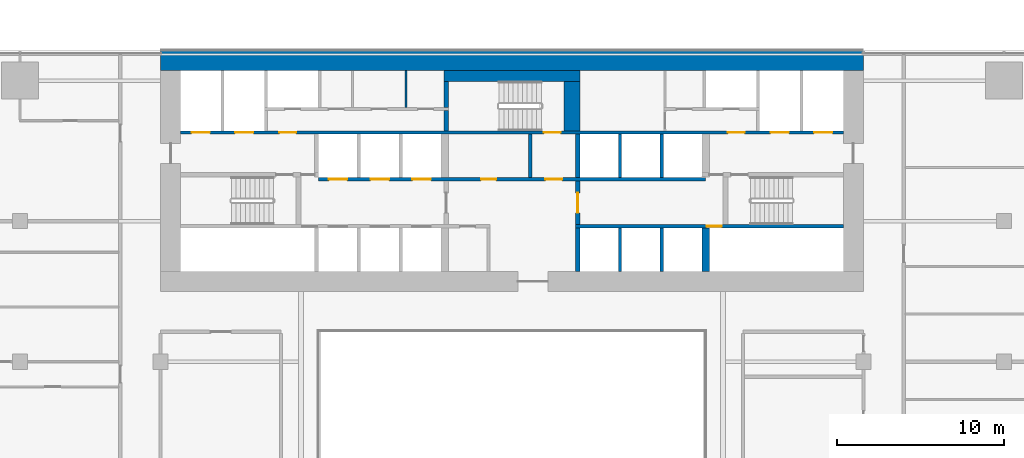
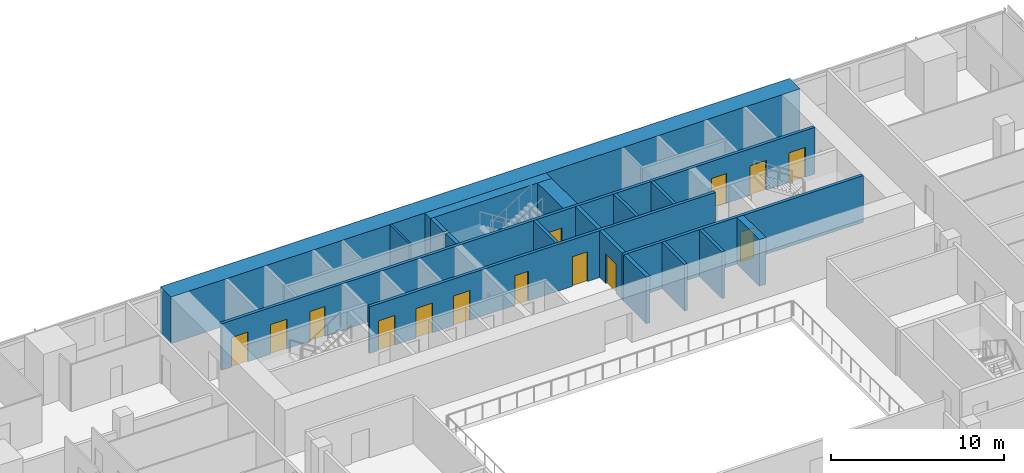
# One storey, part 20 of 25: 18 walls, 14 doors, 14 openings.
"""IFC4 building model written with IfcOpenShell, lengths in metres."""

from ifc_helpers import new_model, si_unit, direction, frame, frame_2d, origin, place, context, subcontext, project, spatial, rectangle, extrude, material, layer, layer_set, type_object, element, fill, save


model = new_model("IFC4")

# Units and contexts
model_context = context("Model", 3, precision=1e-05, world=origin(), true_north=direction((0.0, 1.0)))
body_context = subcontext(model_context, "Body", "Model", "MODEL_VIEW")
ifc_project = project(units=[si_unit("LENGTHUNIT", "METRE"), si_unit("AREAUNIT", "SQUARE_METRE"), si_unit("VOLUMEUNIT", "CUBIC_METRE"), si_unit("PLANEANGLEUNIT", "RADIAN"), si_unit("MASSUNIT", "GRAM", prefix="KILO")], contexts=[model_context])

# Site, building, storey
site_placement = place(None, origin())
site = spatial("IfcSite", under=ifc_project, at=site_placement, CompositionType="ELEMENT")
building_placement = place(site_placement, origin())
building = spatial("IfcBuilding", under=site, at=building_placement, Name="Saffron Gate Tower", CompositionType="ELEMENT")
storey_placement = place(building_placement, frame((0.0, 0.0, 80.39990234375)))
storey = spatial("IfcBuildingStorey", under=building, at=storey_placement, Name="L19", CompositionType="ELEMENT", Elevation=80.39990234375)

# Walls
ifc_material_1 = material(Name="Concrete C70", Category="concrete")
ifc_layer_1 = layer(ifc_material_1, 1.199951171875)
ifc_layer_set_1 = layer_set([ifc_layer_1], Name="CW1 RC core wall 1200 C70")
wall_type_1 = type_object("IfcWallType", Name="CW1 RC core wall 1200 C70", PredefinedType="SOLIDWALL", material=ifc_layer_set_1)
wall_1_placement = place(storey_placement, frame((66.60009765625, 75.0, 0.0), z_axis=(0.0, 0.0, 1.0), x_axis=(1.0, 0.0, 0.0)))
element("IfcWall", 1, at=wall_1_placement, inside=storey, type_object=wall_type_1, Name="Wall CW1-L19-2", PredefinedType="SOLIDWALL", context=body_context, shape_type="SweptSolid", body=[
    extrude(rectangle(XDim=42.0, YDim=1.199951171875, at=frame_2d((21.0, 0.0))), origin(), (0.0, 0.0, 1.0), 3.300048828125),
])
ifc_material_2 = material(Name="Gypsum board partition on steel studs", Category="steel")
ifc_layer_2 = layer(ifc_material_2, 0.199951171875)
ifc_layer_set_2 = layer_set([ifc_layer_2], Name="CW10 Core partition 200")
wall_type_2 = type_object("IfcWallType", Name="CW10 Core partition 200", PredefinedType="PARTITIONING", material=ifc_layer_set_2)
wall_2_placement = place(storey_placement, frame((88.699951171875, 68.0, 0.0), z_axis=(0.0, 0.0, 1.0), x_axis=(0.0, 1.0, 0.0)))
element("IfcWall", 2, at=wall_2_placement, inside=storey, type_object=wall_type_2, Name="Wall CW10-L19-24", PredefinedType="PARTITIONING", context=body_context, shape_type="SweptSolid", body=[
    extrude(rectangle(XDim=2.60009765625, YDim=0.199951171875, at=frame_2d((1.300048828125, 0.0))), origin(), (0.0, 0.0, 1.0), 3.300048828125),
])
ifc_layer_3 = layer(ifc_material_1, 0.25)
ifc_layer_set_3 = layer_set([ifc_layer_3], Name="CW2 RC core wall 250 C70")
wall_type_3 = type_object("IfcWallType", Name="CW2 RC core wall 250 C70", PredefinedType="SOLIDWALL", material=ifc_layer_set_3)
wall_3_placement = place(storey_placement, frame((91.52490234375, 62.39990234375, 0.0), z_axis=(0.0, 0.0, 1.0), x_axis=(0.0, 1.0, 0.0)))
element("IfcWall", 3, at=wall_3_placement, inside=storey, type_object=wall_type_3, Name="Wall CW2-L19-10", PredefinedType="SOLIDWALL", context=body_context, shape_type="SweptSolid", body=[
    extrude(rectangle(XDim=2.60009765625, YDim=0.25, at=frame_2d((1.300048828125, 0.0))), origin(), (0.0, 0.0, 1.0), 3.300048828125),
])

# Wall, opening, door
wall_4_placement = place(storey_placement, frame((91.52490234375, 65.199951171875, 0.0), z_axis=(0.0, 0.0, 1.0), x_axis=(0.0, 1.0, 0.0)))
wall_4 = element("IfcWall", 4, at=wall_4_placement, inside=storey, type_object=wall_type_3, Name="Wall CW2-L19-18", PredefinedType="SOLIDWALL", context=body_context, shape_type="SweptSolid", body=[
    extrude(rectangle(XDim=2.60009765625, YDim=0.25, at=frame_2d((1.300048828125, 0.0))), origin(), (0.0, 0.0, 1.0), 3.300048828125),
])
opening_1_placement = place(wall_4_placement, frame((0.699951171875, 0.0, 0.0)))
opening_1 = element("IfcOpeningElement", 5, at=opening_1_placement, cuts=wall_4, Name="Opening CR-01", PredefinedType="OPENING", context=body_context, shape_type="SweptSolid", body=[
    extrude(rectangle(XDim=1.199951171875, YDim=2.10009765625, at=frame_2d((0.60009765625, 1.050048828125))), frame((0.0, 0.135009765625, 0.0), z_axis=(0.0, -1.0, 0.0), x_axis=(1.0, 0.0, 0.0)), (0.0, 0.0, 1.0), 0.27001953125),
])
ifc_material_3 = material(Name="Steel fire door set", Category="steel")
door_type_1 = type_object("IfcDoorType", Name="CD3 Lobby door 1200x2100 EI 120", OperationType="NOTDEFINED", PredefinedType="DOOR", material=ifc_material_3)
door_1_placement = place(opening_1_placement, origin())
door_1 = element("IfcDoor", 6, at=door_1_placement, inside=storey, type_object=door_type_1, Name="DOOR CR-01", OperationType="SINGLE_SWING_RIGHT", OverallHeight=2.10009765625, OverallWidth=1.199951171875, PredefinedType="DOOR", context=body_context, shape_type="SweptSolid", body=[
    extrude(rectangle(XDim=1.199951171875, YDim=2.10009765625, at=frame_2d((0.60009765625, 1.050048828125))), frame((0.0, 0.02490234375, 0.0), z_axis=(0.0, -1.0, 0.0), x_axis=(1.0, 0.0, 0.0)), (0.0, 0.0, 1.0), 0.050048828125),
])
fill(opening_1, door_1)

# Walls
wall_5_placement = place(storey_placement, frame((91.52490234375, 68.0, 0.0), z_axis=(0.0, 0.0, 1.0), x_axis=(0.0, 1.0, 0.0)))
element("IfcWall", 7, at=wall_5_placement, inside=storey, type_object=wall_type_3, Name="Wall CW2-L19-25", PredefinedType="SOLIDWALL", context=body_context, shape_type="SweptSolid", body=[
    extrude(rectangle(XDim=2.60009765625, YDim=0.25, at=frame_2d((1.300048828125, 0.0))), origin(), (0.0, 0.0, 1.0), 3.300048828125),
])
wall_6_placement = place(storey_placement, frame((83.675048828125, 70.800048828125, 0.0), z_axis=(0.0, 0.0, 1.0), x_axis=(0.0, 1.0, 0.0)))
element("IfcWall", 8, at=wall_6_placement, inside=storey, type_object=wall_type_3, Name="Wall CW2-L19-36", PredefinedType="SOLIDWALL", context=body_context, shape_type="SweptSolid", body=[
    extrude(rectangle(XDim=1.199951171875, YDim=0.25, at=frame_2d((0.60009765625, 0.0))), origin(), (0.0, 0.0, 1.0), 3.300048828125),
])
wall_7_placement = place(storey_placement, frame((83.675048828125, 72.199951171875, 0.0), z_axis=(0.0, 0.0, 1.0), x_axis=(0.0, 1.0, 0.0)))
element("IfcWall", 9, at=wall_7_placement, inside=storey, type_object=wall_type_3, Name="Wall CW2-L19-47", PredefinedType="SOLIDWALL", context=body_context, shape_type="SweptSolid", body=[
    extrude(rectangle(XDim=1.550048828125, YDim=0.25, at=frame_2d((0.77490234375, 0.0))), origin(), (0.0, 0.0, 1.0), 3.300048828125),
])
ifc_layer_4 = layer(ifc_material_1, 0.199951171875)
ifc_layer_set_4 = layer_set([ifc_layer_4], Name="CW3 RC core wall 200 C70")
wall_type_4 = type_object("IfcWallType", Name="CW3 RC core wall 200 C70", PredefinedType="SOLIDWALL", material=ifc_layer_set_4)
for number, where, z_axis, x_axis, name in (
    (10, (94.050048828125, 62.39990234375, 0.0), (0.0, 0.0, 1.0), (0.0, 1.0, 0.0), "Wall CW3-L19-11"),
    (11, (96.550048828125, 62.39990234375, 0.0), (0.0, 0.0, 1.0), (0.0, 1.0, 0.0), "Wall CW3-L19-12"),
):
    element("IfcWall", number, at=place(storey_placement, frame(where, z_axis=z_axis, x_axis=x_axis)), inside=storey, type_object=wall_type_4, Name=name, PredefinedType="SOLIDWALL", context=body_context, shape_type="SweptSolid", body=[
        extrude(rectangle(XDim=2.60009765625, YDim=0.199951171875, at=frame_2d((1.300048828125, 0.0))), origin(), (0.0, 0.0, 1.0), 3.300048828125),
    ])

# Wall, opening, door
wall_8_placement = place(storey_placement, frame((91.39990234375, 65.10009765625, 0.0), z_axis=(0.0, 0.0, 1.0), x_axis=(1.0, 0.0, 0.0)))
wall_8 = element("IfcWall", 12, at=wall_8_placement, inside=storey, type_object=wall_type_4, Name="Wall CW3-L19-15", PredefinedType="SOLIDWALL", context=body_context, shape_type="SweptSolid", body=[
    extrude(rectangle(XDim=16.0, YDim=0.199951171875, at=frame_2d((8.0, 0.0))), origin(), (0.0, 0.0, 1.0), 3.300048828125),
])
opening_2_placement = place(wall_8_placement, frame((7.830078125, 0.0, 0.0)))
opening_2 = element("IfcOpeningElement", 13, at=opening_2_placement, cuts=wall_8, Name="Opening CR-48", PredefinedType="OPENING", context=body_context, shape_type="SweptSolid", body=[
    extrude(rectangle(XDim=0.89990234375, YDim=2.10009765625, at=frame_2d((0.449951171875, 1.050048828125))), frame((0.0, 0.10986328125, 0.0), z_axis=(0.0, -1.0, 0.0), x_axis=(1.0, 0.0, 0.0)), (0.0, 0.0, 1.0), 0.219970703125),
])
door_type_2 = type_object("IfcDoorType", Name="CD2 Riser door 900x2100 EI 60", OperationType="NOTDEFINED", PredefinedType="DOOR", material=ifc_material_3)
door_2_placement = place(opening_2_placement, origin())
door_2 = element("IfcDoor", 14, at=door_2_placement, inside=storey, type_object=door_type_2, Name="DOOR CR-48", OperationType="SINGLE_SWING_RIGHT", OverallHeight=2.10009765625, OverallWidth=0.89990234375, PredefinedType="DOOR", context=body_context, shape_type="SweptSolid", body=[
    extrude(rectangle(XDim=0.89990234375, YDim=2.10009765625, at=frame_2d((0.449951171875, 1.050048828125))), frame((0.0, 0.02490234375, 0.0), z_axis=(0.0, -1.0, 0.0), x_axis=(1.0, 0.0, 0.0)), (0.0, 0.0, 1.0), 0.050048828125),
])
fill(opening_2, door_2)

# Wall, openings, doors
wall_9_placement = place(storey_placement, frame((76.050048828125, 67.89990234375, 0.0), z_axis=(0.0, 0.0, 1.0), x_axis=(1.0, 0.0, 0.0)))
wall_9 = element("IfcWall", 15, at=wall_9_placement, inside=storey, type_object=wall_type_4, Name="Wall CW3-L19-20", PredefinedType="SOLIDWALL", context=body_context, shape_type="SweptSolid", body=[
    extrude(rectangle(XDim=23.099853515625, YDim=0.199951171875, at=frame_2d((11.5498046875, 0.0))), origin(), (0.0, 0.0, 1.0), 3.300048828125),
])
opening_3_placement = place(wall_9_placement, frame((0.60009765625, 0.0, 0.0)))
opening_3 = element("IfcOpeningElement", 16, at=opening_3_placement, cuts=wall_9, Name="Opening LD-LR4", PredefinedType="OPENING", context=body_context, shape_type="SweptSolid", body=[
    extrude(rectangle(XDim=1.10009765625, YDim=2.10009765625, at=frame_2d((0.550048828125, 1.050048828125))), frame((0.0, 0.10986328125, 0.0), z_axis=(0.0, -1.0, 0.0), x_axis=(1.0, 0.0, 0.0)), (0.0, 0.0, 1.0), 0.219970703125),
])
opening_4_placement = place(wall_9_placement, frame((3.10009765625, 0.0, 0.0)))
opening_4 = element("IfcOpeningElement", 17, at=opening_4_placement, cuts=wall_9, Name="Opening LD-LR5", PredefinedType="OPENING", context=body_context, shape_type="SweptSolid", body=[
    extrude(rectangle(XDim=1.10009765625, YDim=2.10009765625, at=frame_2d((0.550048828125, 1.050048828125))), frame((0.0, 0.10986328125, 0.0), z_axis=(0.0, -1.0, 0.0), x_axis=(1.0, 0.0, 0.0)), (0.0, 0.0, 1.0), 0.219970703125),
])
opening_5_placement = place(wall_9_placement, frame((5.60009765625, 0.0, 0.0)))
opening_5 = element("IfcOpeningElement", 18, at=opening_5_placement, cuts=wall_9, Name="Opening LD-LR6", PredefinedType="OPENING", context=body_context, shape_type="SweptSolid", body=[
    extrude(rectangle(XDim=1.10009765625, YDim=2.10009765625, at=frame_2d((0.550048828125, 1.050048828125))), frame((0.0, 0.10986328125, 0.0), z_axis=(0.0, -1.0, 0.0), x_axis=(1.0, 0.0, 0.0)), (0.0, 0.0, 1.0), 0.219970703125),
])
opening_6_placement = place(wall_9_placement, frame((9.699951171875, 0.0, 0.0)))
opening_6 = element("IfcOpeningElement", 19, at=opening_6_placement, cuts=wall_9, Name="Opening CR-67", PredefinedType="OPENING", context=body_context, shape_type="SweptSolid", body=[
    extrude(rectangle(XDim=0.89990234375, YDim=2.10009765625, at=frame_2d((0.449951171875, 1.050048828125))), frame((0.0, 0.10986328125, 0.0), z_axis=(0.0, -1.0, 0.0), x_axis=(1.0, 0.0, 0.0)), (0.0, 0.0, 1.0), 0.219970703125),
])
opening_7_placement = place(wall_9_placement, frame((13.550048828125, 0.0, 0.0)))
opening_7 = element("IfcOpeningElement", 20, at=opening_7_placement, cuts=wall_9, Name="Opening CR-02", PredefinedType="OPENING", context=body_context, shape_type="SweptSolid", body=[
    extrude(rectangle(XDim=1.0, YDim=2.10009765625, at=frame_2d((0.5, 1.050048828125))), frame((0.0, 0.10986328125, 0.0), z_axis=(0.0, -1.0, 0.0), x_axis=(1.0, 0.0, 0.0)), (0.0, 0.0, 1.0), 0.219970703125),
])
door_type_3 = type_object("IfcDoorType", Name="CD4 Lobby door 1000x2100 EI 120", OperationType="NOTDEFINED", PredefinedType="DOOR", material=ifc_material_3)
door_3_placement = place(opening_7_placement, origin())
door_3 = element("IfcDoor", 21, at=door_3_placement, inside=storey, type_object=door_type_3, Name="DOOR CR-02", OperationType="SINGLE_SWING_LEFT", OverallHeight=2.10009765625, OverallWidth=1.0, PredefinedType="DOOR", context=body_context, shape_type="SweptSolid", body=[
    extrude(rectangle(XDim=1.0, YDim=2.10009765625, at=frame_2d((0.5, 1.050048828125))), frame((0.0, 0.02490234375, 0.0), z_axis=(0.0, -1.0, 0.0), x_axis=(1.0, 0.0, 0.0)), (0.0, 0.0, 1.0), 0.050048828125),
])
fill(opening_7, door_3)
door_type_4 = type_object("IfcDoorType", Name="CD9 Room door 900x2100 EI 60", OperationType="NOTDEFINED", PredefinedType="DOOR", material=ifc_material_3)
door_4_placement = place(opening_6_placement, origin())
door_4 = element("IfcDoor", 22, at=door_4_placement, inside=storey, type_object=door_type_4, Name="DOOR CR-67", OperationType="SINGLE_SWING_LEFT", OverallHeight=2.10009765625, OverallWidth=0.89990234375, PredefinedType="DOOR", context=body_context, shape_type="SweptSolid", body=[
    extrude(rectangle(XDim=0.89990234375, YDim=2.10009765625, at=frame_2d((0.449951171875, 1.050048828125))), frame((0.0, 0.02490234375, 0.0), z_axis=(0.0, -1.0, 0.0), x_axis=(1.0, 0.0, 0.0)), (0.0, 0.0, 1.0), 0.050048828125),
])
fill(opening_6, door_4)
ifc_material_4 = material(Name="Stainless steel landing door", Category="steel")
door_type_5 = type_object("IfcDoorType", Name="LD Lift landing door 1100x2100 EI 120", OperationType="SLIDING_TO_LEFT", PredefinedType="DOOR", material=ifc_material_4)
door_5_placement = place(opening_3_placement, origin())
door_5 = element("IfcDoor", 23, at=door_5_placement, inside=storey, type_object=door_type_5, Name="LANDING DOOR LD-LR4", OperationType="SLIDING_TO_RIGHT", OverallHeight=2.10009765625, OverallWidth=1.10009765625, PredefinedType="DOOR", context=body_context, shape_type="SweptSolid", body=[
    extrude(rectangle(XDim=1.10009765625, YDim=2.10009765625, at=frame_2d((0.550048828125, 1.050048828125))), frame((0.0, 0.02490234375, 0.0), z_axis=(0.0, -1.0, 0.0), x_axis=(1.0, 0.0, 0.0)), (0.0, 0.0, 1.0), 0.050048828125),
])
fill(opening_3, door_5)
door_6_placement = place(opening_4_placement, origin())
door_6 = element("IfcDoor", 24, at=door_6_placement, inside=storey, type_object=door_type_5, Name="LANDING DOOR LD-LR5", OperationType="SLIDING_TO_RIGHT", OverallHeight=2.10009765625, OverallWidth=1.10009765625, PredefinedType="DOOR", context=body_context, shape_type="SweptSolid", body=[
    extrude(rectangle(XDim=1.10009765625, YDim=2.10009765625, at=frame_2d((0.550048828125, 1.050048828125))), frame((0.0, 0.02490234375, 0.0), z_axis=(0.0, -1.0, 0.0), x_axis=(1.0, 0.0, 0.0)), (0.0, 0.0, 1.0), 0.050048828125),
])
fill(opening_4, door_6)
door_7_placement = place(opening_5_placement, origin())
door_7 = element("IfcDoor", 25, at=door_7_placement, inside=storey, type_object=door_type_5, Name="LANDING DOOR LD-LR6", OperationType="SLIDING_TO_RIGHT", OverallHeight=2.10009765625, OverallWidth=1.10009765625, PredefinedType="DOOR", context=body_context, shape_type="SweptSolid", body=[
    extrude(rectangle(XDim=1.10009765625, YDim=2.10009765625, at=frame_2d((0.550048828125, 1.050048828125))), frame((0.0, 0.02490234375, 0.0), z_axis=(0.0, -1.0, 0.0), x_axis=(1.0, 0.0, 0.0)), (0.0, 0.0, 1.0), 0.050048828125),
])
fill(opening_5, door_7)

# Walls
for number, where, z_axis, x_axis, name in (
    (26, (94.050048828125, 68.0, 0.0), (0.0, 0.0, 1.0), (0.0, 1.0, 0.0), "Wall CW3-L19-26"),
    (27, (96.550048828125, 68.0, 0.0), (0.0, 0.0, 1.0), (0.0, 1.0, 0.0), "Wall CW3-L19-27"),
):
    element("IfcWall", number, at=place(storey_placement, frame(where, z_axis=z_axis, x_axis=x_axis)), inside=storey, type_object=wall_type_4, Name=name, PredefinedType="SOLIDWALL", context=body_context, shape_type="SweptSolid", body=[
        extrude(rectangle(XDim=2.60009765625, YDim=0.199951171875, at=frame_2d((1.300048828125, 0.0))), origin(), (0.0, 0.0, 1.0), 3.300048828125),
    ])

# Wall, openings, doors
wall_10_placement = place(storey_placement, frame((67.800048828125, 70.699951171875, 0.0), z_axis=(0.0, 0.0, 1.0), x_axis=(1.0, 0.0, 0.0)))
wall_10 = element("IfcWall", 28, at=wall_10_placement, inside=storey, type_object=wall_type_4, Name="Wall CW3-L19-33", PredefinedType="SOLIDWALL", context=body_context, shape_type="SweptSolid", body=[
    extrude(rectangle(XDim=39.599853515625, YDim=0.199951171875, at=frame_2d((19.7998046875, 0.0))), origin(), (0.0, 0.0, 1.0), 3.300048828125),
])
opening_8_placement = place(wall_10_placement, frame((0.64990234375, 0.0, 0.0)))
opening_8 = element("IfcOpeningElement", 29, at=opening_8_placement, cuts=wall_10, Name="Opening LD-FF1", PredefinedType="OPENING", context=body_context, shape_type="SweptSolid", body=[
    extrude(rectangle(XDim=1.10009765625, YDim=2.10009765625, at=frame_2d((0.550048828125, 1.050048828125))), frame((0.0, 0.10986328125, 0.0), z_axis=(0.0, -1.0, 0.0), x_axis=(1.0, 0.0, 0.0)), (0.0, 0.0, 1.0), 0.219970703125),
])
opening_9_placement = place(wall_10_placement, frame((3.25, 0.0, 0.0)))
opening_9 = element("IfcOpeningElement", 30, at=opening_9_placement, cuts=wall_10, Name="Opening LD-SV1", PredefinedType="OPENING", context=body_context, shape_type="SweptSolid", body=[
    extrude(rectangle(XDim=1.10009765625, YDim=2.10009765625, at=frame_2d((0.550048828125, 1.050048828125))), frame((0.0, 0.10986328125, 0.0), z_axis=(0.0, -1.0, 0.0), x_axis=(1.0, 0.0, 0.0)), (0.0, 0.0, 1.0), 0.219970703125),
])
opening_10_placement = place(wall_10_placement, frame((5.89990234375, 0.0, 0.0)))
opening_10 = element("IfcOpeningElement", 31, at=opening_10_placement, cuts=wall_10, Name="Opening CR-03", PredefinedType="OPENING", context=body_context, shape_type="SweptSolid", body=[
    extrude(rectangle(XDim=1.0, YDim=2.10009765625, at=frame_2d((0.5, 1.050048828125))), frame((0.0, 0.10986328125, 0.0), z_axis=(0.0, -1.0, 0.0), x_axis=(1.0, 0.0, 0.0)), (0.0, 0.0, 1.0), 0.219970703125),
])
opening_11_placement = place(wall_10_placement, frame((21.699951171875, 0.0, 0.0)))
opening_11 = element("IfcOpeningElement", 32, at=opening_11_placement, cuts=wall_10, Name="Opening CR-17", PredefinedType="OPENING", context=body_context, shape_type="SweptSolid", body=[
    extrude(rectangle(XDim=1.0, YDim=2.10009765625, at=frame_2d((0.5, 1.050048828125))), frame((0.0, 0.10986328125, 0.0), z_axis=(0.0, -1.0, 0.0), x_axis=(1.0, 0.0, 0.0)), (0.0, 0.0, 1.0), 0.219970703125),
])
opening_12_placement = place(wall_10_placement, frame((32.699951171875, 0.0, 0.0)))
opening_12 = element("IfcOpeningElement", 33, at=opening_12_placement, cuts=wall_10, Name="Opening CR-04", PredefinedType="OPENING", context=body_context, shape_type="SweptSolid", body=[
    extrude(rectangle(XDim=1.0, YDim=2.10009765625, at=frame_2d((0.5, 1.050048828125))), frame((0.0, 0.10986328125, 0.0), z_axis=(0.0, -1.0, 0.0), x_axis=(1.0, 0.0, 0.0)), (0.0, 0.0, 1.0), 0.219970703125),
])
opening_13_placement = place(wall_10_placement, frame((35.25, 0.0, 0.0)))
opening_13 = element("IfcOpeningElement", 34, at=opening_13_placement, cuts=wall_10, Name="Opening LD-SV2", PredefinedType="OPENING", context=body_context, shape_type="SweptSolid", body=[
    extrude(rectangle(XDim=1.10009765625, YDim=2.10009765625, at=frame_2d((0.550048828125, 1.050048828125))), frame((0.0, 0.10986328125, 0.0), z_axis=(0.0, -1.0, 0.0), x_axis=(1.0, 0.0, 0.0)), (0.0, 0.0, 1.0), 0.219970703125),
])
opening_14_placement = place(wall_10_placement, frame((37.85009765625, 0.0, 0.0)))
opening_14 = element("IfcOpeningElement", 35, at=opening_14_placement, cuts=wall_10, Name="Opening LD-FF2", PredefinedType="OPENING", context=body_context, shape_type="SweptSolid", body=[
    extrude(rectangle(XDim=1.10009765625, YDim=2.10009765625, at=frame_2d((0.550048828125, 1.050048828125))), frame((0.0, 0.10986328125, 0.0), z_axis=(0.0, -1.0, 0.0), x_axis=(1.0, 0.0, 0.0)), (0.0, 0.0, 1.0), 0.219970703125),
])
door_8_placement = place(opening_10_placement, origin())
door_8 = element("IfcDoor", 36, at=door_8_placement, inside=storey, type_object=door_type_3, Name="DOOR CR-03", OperationType="SINGLE_SWING_LEFT", OverallHeight=2.10009765625, OverallWidth=1.0, PredefinedType="DOOR", context=body_context, shape_type="SweptSolid", body=[
    extrude(rectangle(XDim=1.0, YDim=2.10009765625, at=frame_2d((0.5, 1.050048828125))), frame((0.0, 0.02490234375, 0.0), z_axis=(0.0, -1.0, 0.0), x_axis=(1.0, 0.0, 0.0)), (0.0, 0.0, 1.0), 0.050048828125),
])
fill(opening_10, door_8)
door_9_placement = place(opening_12_placement, origin())
door_9 = element("IfcDoor", 37, at=door_9_placement, inside=storey, type_object=door_type_3, Name="DOOR CR-04", OperationType="SINGLE_SWING_RIGHT", OverallHeight=2.10009765625, OverallWidth=1.0, PredefinedType="DOOR", context=body_context, shape_type="SweptSolid", body=[
    extrude(rectangle(XDim=1.0, YDim=2.10009765625, at=frame_2d((0.5, 1.050048828125))), frame((0.0, 0.02490234375, 0.0), z_axis=(0.0, -1.0, 0.0), x_axis=(1.0, 0.0, 0.0)), (0.0, 0.0, 1.0), 0.050048828125),
])
fill(opening_12, door_9)
door_type_6 = type_object("IfcDoorType", Name="CD5 Stair door 1000x2100 EI 120", OperationType="NOTDEFINED", PredefinedType="DOOR", material=ifc_material_3)
door_10_placement = place(opening_11_placement, origin())
door_10 = element("IfcDoor", 38, at=door_10_placement, inside=storey, type_object=door_type_6, Name="DOOR CR-17", OperationType="SINGLE_SWING_RIGHT", OverallHeight=2.10009765625, OverallWidth=1.0, PredefinedType="DOOR", context=body_context, shape_type="SweptSolid", body=[
    extrude(rectangle(XDim=1.0, YDim=2.10009765625, at=frame_2d((0.5, 1.050048828125))), frame((0.0, 0.02490234375, 0.0), z_axis=(0.0, -1.0, 0.0), x_axis=(1.0, 0.0, 0.0)), (0.0, 0.0, 1.0), 0.050048828125),
])
fill(opening_11, door_10)
door_11_placement = place(opening_8_placement, origin())
door_11 = element("IfcDoor", 39, at=door_11_placement, inside=storey, type_object=door_type_5, Name="LANDING DOOR LD-FF1", OperationType="SLIDING_TO_RIGHT", OverallHeight=2.10009765625, OverallWidth=1.10009765625, PredefinedType="DOOR", context=body_context, shape_type="SweptSolid", body=[
    extrude(rectangle(XDim=1.10009765625, YDim=2.10009765625, at=frame_2d((0.550048828125, 1.050048828125))), frame((0.0, 0.02490234375, 0.0), z_axis=(0.0, -1.0, 0.0), x_axis=(1.0, 0.0, 0.0)), (0.0, 0.0, 1.0), 0.050048828125),
])
fill(opening_8, door_11)
door_12_placement = place(opening_9_placement, origin())
door_12 = element("IfcDoor", 40, at=door_12_placement, inside=storey, type_object=door_type_5, Name="LANDING DOOR LD-SV1", OperationType="SLIDING_TO_RIGHT", OverallHeight=2.10009765625, OverallWidth=1.10009765625, PredefinedType="DOOR", context=body_context, shape_type="SweptSolid", body=[
    extrude(rectangle(XDim=1.10009765625, YDim=2.10009765625, at=frame_2d((0.550048828125, 1.050048828125))), frame((0.0, 0.02490234375, 0.0), z_axis=(0.0, -1.0, 0.0), x_axis=(1.0, 0.0, 0.0)), (0.0, 0.0, 1.0), 0.050048828125),
])
fill(opening_9, door_12)
door_13_placement = place(opening_13_placement, origin())
door_13 = element("IfcDoor", 41, at=door_13_placement, inside=storey, type_object=door_type_5, Name="LANDING DOOR LD-SV2", OperationType="SLIDING_TO_RIGHT", OverallHeight=2.10009765625, OverallWidth=1.10009765625, PredefinedType="DOOR", context=body_context, shape_type="SweptSolid", body=[
    extrude(rectangle(XDim=1.10009765625, YDim=2.10009765625, at=frame_2d((0.550048828125, 1.050048828125))), frame((0.0, 0.02490234375, 0.0), z_axis=(0.0, -1.0, 0.0), x_axis=(1.0, 0.0, 0.0)), (0.0, 0.0, 1.0), 0.050048828125),
])
fill(opening_13, door_13)
door_14_placement = place(opening_14_placement, origin())
door_14 = element("IfcDoor", 42, at=door_14_placement, inside=storey, type_object=door_type_5, Name="LANDING DOOR LD-FF2", OperationType="SLIDING_TO_RIGHT", OverallHeight=2.10009765625, OverallWidth=1.10009765625, PredefinedType="DOOR", context=body_context, shape_type="SweptSolid", body=[
    extrude(rectangle(XDim=1.10009765625, YDim=2.10009765625, at=frame_2d((0.550048828125, 1.050048828125))), frame((0.0, 0.02490234375, 0.0), z_axis=(0.0, -1.0, 0.0), x_axis=(1.0, 0.0, 0.0)), (0.0, 0.0, 1.0), 0.050048828125),
])
fill(opening_14, door_14)

# Walls
ifc_layer_5 = layer(ifc_material_1, 0.449951171875)
ifc_layer_set_5 = layer_set([ifc_layer_5], Name="CW4 RC core wall 450 C70")
wall_type_5 = type_object("IfcWallType", Name="CW4 RC core wall 450 C70", PredefinedType="SOLIDWALL", material=ifc_layer_set_5)
wall_11_placement = place(storey_placement, frame((99.175048828125, 62.39990234375, 0.0), z_axis=(0.0, 0.0, 1.0), x_axis=(0.0, 1.0, 0.0)))
element("IfcWall", 43, at=wall_11_placement, inside=storey, type_object=wall_type_5, Name="Wall CW4-L19-13", PredefinedType="SOLIDWALL", context=body_context, shape_type="SweptSolid", body=[
    extrude(rectangle(XDim=2.60009765625, YDim=0.449951171875, at=frame_2d((1.300048828125, 0.0))), origin(), (0.0, 0.0, 1.0), 3.300048828125),
])
ifc_layer_6 = layer(ifc_material_1, 0.949951171875)
ifc_layer_set_6 = layer_set([ifc_layer_6], Name="CW7 RC core wall 950 C70")
wall_type_6 = type_object("IfcWallType", Name="CW7 RC core wall 950 C70", PredefinedType="SOLIDWALL", material=ifc_layer_set_6)
wall_12_placement = place(storey_placement, frame((91.175048828125, 70.800048828125, 0.0), z_axis=(0.0, 0.0, 1.0), x_axis=(0.0, 1.0, 0.0)))
element("IfcWall", 44, at=wall_12_placement, inside=storey, type_object=wall_type_6, Name="Wall CW7-L19-37", PredefinedType="SOLIDWALL", context=body_context, shape_type="SweptSolid", body=[
    extrude(rectangle(XDim=2.949951171875, YDim=0.949951171875, at=frame_2d((1.47509765625, 0.0))), origin(), (0.0, 0.0, 1.0), 3.300048828125),
])
ifc_layer_7 = layer(ifc_material_2, 0.1201171875)
ifc_layer_set_7 = layer_set([ifc_layer_7], Name="CW8 Core partition 120")
wall_type_7 = type_object("IfcWallType", Name="CW8 Core partition 120", PredefinedType="PARTITIONING", material=ifc_layer_set_7)
wall_13_placement = place(storey_placement, frame((81.280029296875, 72.199951171875, 0.0), z_axis=(0.0, 0.0, 1.0), x_axis=(0.0, 1.0, 0.0)))
element("IfcWall", 45, at=wall_13_placement, inside=storey, type_object=wall_type_7, Name="Wall CW8-L19-46", PredefinedType="PARTITIONING", context=body_context, shape_type="SweptSolid", body=[
    extrude(rectangle(XDim=2.199951171875, YDim=0.1201171875, at=frame_2d((1.10009765625, 0.0))), origin(), (0.0, 0.0, 1.0), 3.300048828125),
])
ifc_layer_8 = layer(ifc_material_1, 0.64990234375)
ifc_layer_set_8 = layer_set([ifc_layer_8], Name="CW9 RC core wall 650 C70")
wall_type_8 = type_object("IfcWallType", Name="CW9 RC core wall 650 C70", PredefinedType="SOLIDWALL", material=ifc_layer_set_8)
wall_14_placement = place(storey_placement, frame((83.550048828125, 74.074951171875, 0.0), z_axis=(0.0, 0.0, 1.0), x_axis=(1.0, 0.0, 0.0)))
element("IfcWall", 46, at=wall_14_placement, inside=storey, type_object=wall_type_8, Name="Wall CW9-L19-51", PredefinedType="SOLIDWALL", context=body_context, shape_type="SweptSolid", body=[
    extrude(rectangle(XDim=8.099853515625, YDim=0.64990234375, at=frame_2d((4.0498046875, 0.0))), origin(), (0.0, 0.0, 1.0), 3.300048828125),
])

save(model, "model.ifc")
